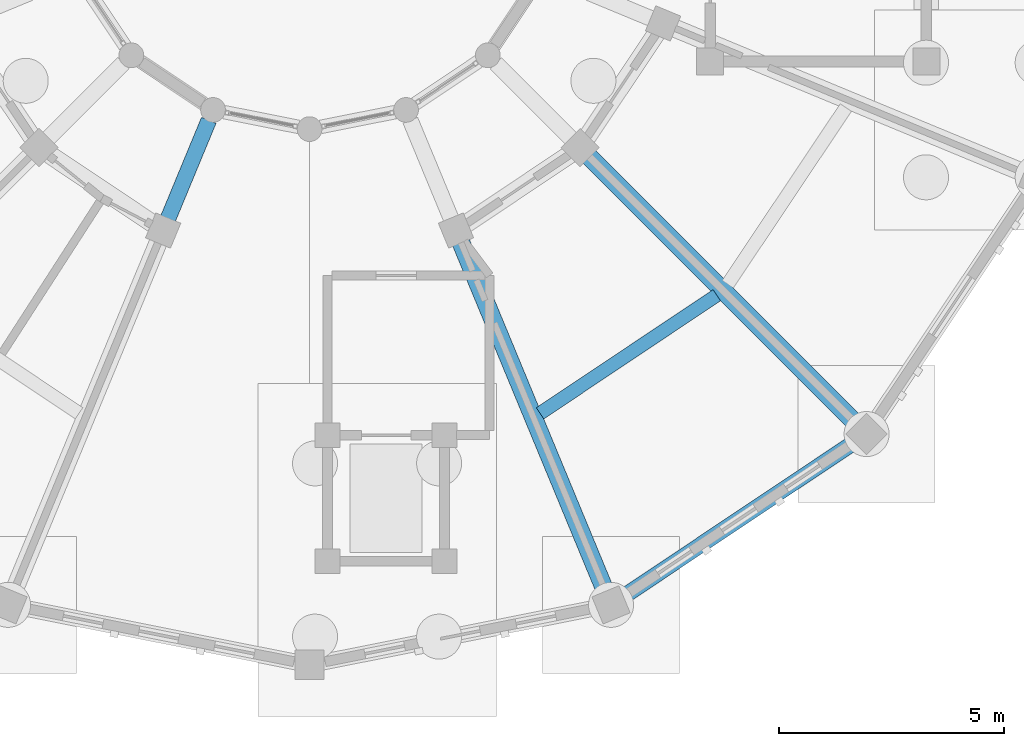
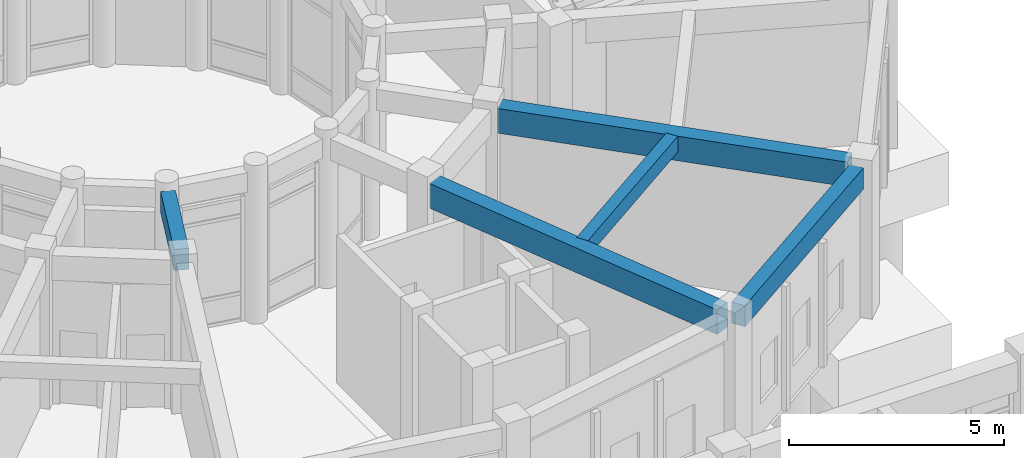
# One storey, part 61 of 153: 5 beams.
"""IFC4 building model written with IfcOpenShell, lengths in metres."""

from ifc_helpers import new_model, si_unit, direction, frame, origin, origin_2d, place, context, subcontext, project, spatial, rectangle, extrude, material, material_profile, profile_set, type_object, element, save


model = new_model("IFC4")

# Units and contexts
model_context = context("Model", 3, precision=1e-05, world=origin(), true_north=direction((0.0, 1.0)))
body_context = subcontext(model_context, "Body", "Model", "MODEL_VIEW")
ifc_project = project(units=[si_unit("LENGTHUNIT", "METRE"), si_unit("AREAUNIT", "SQUARE_METRE"), si_unit("VOLUMEUNIT", "CUBIC_METRE"), si_unit("PLANEANGLEUNIT", "RADIAN"), si_unit("MASSUNIT", "GRAM", prefix="KILO")], contexts=[model_context])

# Site, building, storey
site_placement = place(None, origin())
site = spatial("IfcSite", under=ifc_project, at=site_placement, CompositionType="ELEMENT")
building_placement = place(site_placement, origin())
building = spatial("IfcBuilding", under=site, at=building_placement, Name="Celadon Cloister-Ring School", CompositionType="ELEMENT")
storey_placement = place(building_placement, origin())
storey = spatial("IfcBuildingStorey", under=building, at=storey_placement, Name="L00", CompositionType="ELEMENT", Elevation=0.0)

# Beams
ifc_material_1 = material(Name="Concrete C35/45", Category="concrete")
ifc_material_profile_1 = material_profile(ifc_material_1, rectangle(XDim=0.35009765625, YDim=0.60009765625, at=origin_2d()), Name="RC350X600")
ifc_profile_set_1 = profile_set([ifc_material_profile_1], Name="Concrete C35/45")
beam_type_1 = type_object("IfcBeamType", Name="BT-02", PredefinedType="BEAM", material=ifc_profile_set_1)
beam_1_placement = place(storey_placement, frame((17.052001953125, 89.40087890625, 3.9599609375), z_axis=(0.382724033014, 0.923862714127, 0.0), x_axis=(-0.923862714127, 0.382724033014, 0.0)))
element("IfcBeam", 1, at=beam_1_placement, inside=storey, type_object=beam_type_1, Name="Beam 0606", PredefinedType="BEAM", context=body_context, shape_type="SweptSolid", body=[
    extrude(rectangle(XDim=0.35009765625, YDim=0.60009765625, at=origin_2d()), origin(), (0.0, 0.0, 1.0), 2.375),
])
ifc_material_2 = material(Name="Concrete C35/45", Category="concrete")
ifc_material_profile_2 = material_profile(ifc_material_2, rectangle(XDim=0.39990234375, YDim=0.699951171875, at=origin_2d()), Name="RC400X700")
ifc_profile_set_2 = profile_set([ifc_material_profile_2], Name="Concrete C35/45")
beam_type_2 = type_object("IfcBeamType", Name="GT-03", PredefinedType="USERDEFINED", material=ifc_profile_set_2)
beam_2_placement = place(storey_placement, frame((26.781982421875, 81.10888671875, 3.909912109375), z_axis=(-0.382639277503, 0.923897820818, 0.0), x_axis=(-0.923897820818, -0.382639277503, 0.0)))
element("IfcBeam", 2, at=beam_2_placement, inside=storey, type_object=beam_type_2, Name="Beam 0607", ObjectType="GIRDER", PredefinedType="USERDEFINED", context=body_context, shape_type="SweptSolid", body=[
    extrude(rectangle(XDim=0.39990234375, YDim=0.699951171875, at=origin_2d()), origin(), (0.0, 0.0, 1.0), 8.42529296875),
])
beam_3_placement = place(storey_placement, frame((32.362060546875, 84.837890625, 3.909912109375), z_axis=(-0.707106781187, 0.707106781187, 0.0), x_axis=(-0.707106781187, -0.707106781187, 0.0)))
element("IfcBeam", 3, at=beam_3_placement, inside=storey, type_object=beam_type_2, Name="Beam 0609", ObjectType="GIRDER", PredefinedType="USERDEFINED", context=body_context, shape_type="SweptSolid", body=[
    extrude(rectangle(XDim=0.39990234375, YDim=0.699951171875, at=origin_2d()), origin(), (0.0, 0.0, 1.0), 8.42578125),
])
ifc_material_3 = material(Name="Concrete C35/45", Category="concrete")
ifc_material_profile_3 = material_profile(ifc_material_3, rectangle(XDim=0.300048828125, YDim=0.449951171875, at=origin_2d()), Name="RC300X450")
ifc_profile_set_3 = profile_set([ifc_material_profile_3], Name="Concrete C35/45")
beam_type_3 = type_object("IfcBeamType", Name="JT-01", PredefinedType="JOIST", material=ifc_profile_set_3)
beam_4_placement = place(storey_placement, frame((25.321044921875, 85.0869140625, 4.034912109375), z_axis=(0.831333623542, 0.55577370068, 0.0), x_axis=(-0.55577370068, 0.831333623542, 0.0)))
element("IfcBeam", 4, at=beam_4_placement, inside=storey, type_object=beam_type_3, Name="Beam 0653", PredefinedType="JOIST", context=body_context, shape_type="SweptSolid", body=[
    extrude(rectangle(XDim=0.300048828125, YDim=0.449951171875, at=origin_2d()), origin(), (0.0, 0.0, 1.0), 4.721435546875),
])
ifc_material_4 = material(Name="Concrete C35/45", Category="concrete")
ifc_material_profile_4 = material_profile(ifc_material_4, rectangle(XDim=0.35009765625, YDim=0.60009765625, at=origin_2d()), Name="RC350X600")
ifc_profile_set_4 = profile_set([ifc_material_profile_4], Name="Concrete C35/45")
beam_type_4 = type_object("IfcBeamType", Name="SP-01", PredefinedType="SPANDREL", material=ifc_profile_set_4)
beam_5_placement = place(storey_placement, frame((27.14599609375, 80.9990234375, 3.9599609375), z_axis=(0.831507154531, 0.555514042993, 0.0), x_axis=(-0.555514042993, 0.831507154531, 0.0)))
element("IfcBeam", 5, at=beam_5_placement, inside=storey, type_object=beam_type_4, Name="Beam 0650", PredefinedType="SPANDREL", context=body_context, shape_type="SweptSolid", body=[
    extrude(rectangle(XDim=0.35009765625, YDim=0.60009765625, at=origin_2d()), origin(), (0.0, 0.0, 1.0), 6.228515625),
])

save(model, "model.ifc")
